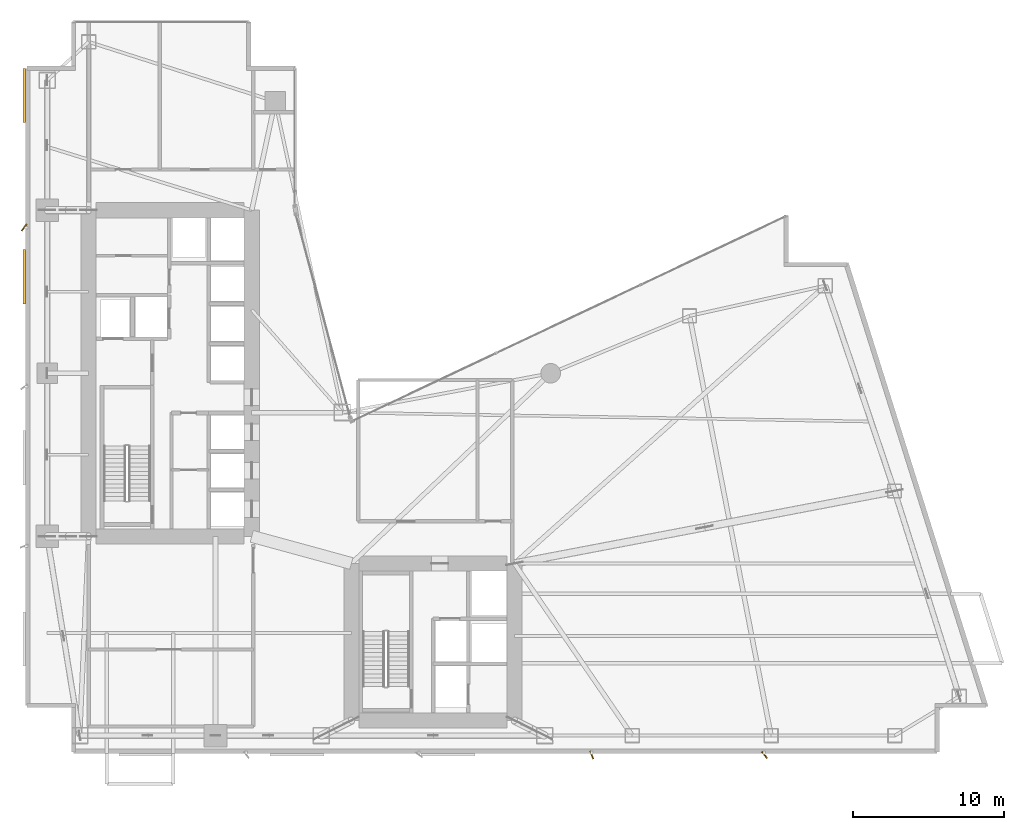
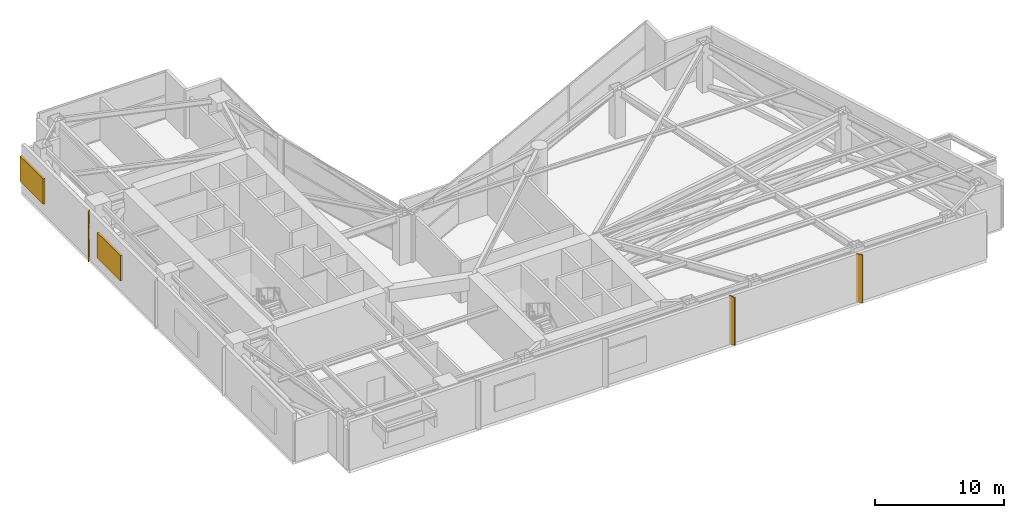
# One storey, part 18 of 18: 5 shading devices.
"""IFC4 building model written with IfcOpenShell, lengths in metres."""

from ifc_helpers import new_model, si_unit, direction, frame, origin, origin_2d, place, context, subcontext, project, spatial, rectangle, extrude, material, type_object, element, save


model = new_model("IFC4")

# Units and contexts
model_context = context("Model", 3, precision=1e-05, world=origin(), true_north=direction((0.0, 1.0)))
body_context = subcontext(model_context, "Body", "Model", "MODEL_VIEW")
ifc_project = project(units=[si_unit("LENGTHUNIT", "METRE"), si_unit("AREAUNIT", "SQUARE_METRE"), si_unit("VOLUMEUNIT", "CUBIC_METRE"), si_unit("PLANEANGLEUNIT", "RADIAN"), si_unit("MASSUNIT", "GRAM", prefix="KILO")], contexts=[model_context])

# Site, building, storey
site_placement = place(None, origin())
site = spatial("IfcSite", under=ifc_project, at=site_placement, CompositionType="ELEMENT")
building_placement = place(site_placement, origin())
building = spatial("IfcBuilding", under=site, at=building_placement, Name="Calvorn Quay Hotel", CompositionType="ELEMENT")
storey_placement = place(building_placement, frame((0.0, 0.0, 46.0)))
storey = spatial("IfcBuildingStorey", under=building, at=storey_placement, Name="L10", CompositionType="ELEMENT", Elevation=46.0)

# Shading devices
ifc_material_1 = material(Name="Champagne Bronze Anodised Aluminium 6063-T6", Category="aluminium")
shading_device_type_1 = type_object("IfcShadingDeviceType", Name="SHD-FIN-A1", PredefinedType="USERDEFINED", material=ifc_material_1)
shading_device_1_placement = place(storey_placement, frame((37.52001953125, 2.320068359375, 0.0), z_axis=(0.0, 0.0, 1.0), x_axis=(-0.374606593416, 0.927183854567, 0.0)))
element("IfcShadingDevice", 1, at=shading_device_1_placement, inside=storey, type_object=shading_device_type_1, Name="Diagonal Sun-Shading Fin L10-S03", ObjectType="FIN", PredefinedType="USERDEFINED", context=body_context, shape_type="SweptSolid", body=[
    extrude(rectangle(XDim=0.550048828125, YDim=0.080078125, at=origin_2d()), origin(), (0.0, 0.0, 1.0), 4.56005859375),
])
ifc_material_2 = material(Name="Champagne Bronze Anodised Aluminium 6063-T6", Category="aluminium")
shading_device_type_2 = type_object("IfcShadingDeviceType", Name="SHD-FIN-A2", PredefinedType="USERDEFINED", material=ifc_material_2)
shading_device_2_placement = place(storey_placement, frame((48.9599609375, 2.320068359375, 0.0), z_axis=(0.0, 0.0, 1.0), x_axis=(-0.615661475326, 0.788010753607, 0.0)))
element("IfcShadingDevice", 2, at=shading_device_2_placement, inside=storey, type_object=shading_device_type_2, Name="Diagonal Sun-Shading Fin L10-S04", ObjectType="FIN", PredefinedType="USERDEFINED", context=body_context, shape_type="SweptSolid", body=[
    extrude(rectangle(XDim=0.550048828125, YDim=0.080078125, at=origin_2d()), origin(), (0.0, 0.0, 1.0), 4.56005859375),
])
ifc_material_3 = material(Name="Champagne Bronze Anodised Aluminium 6063-T6", Category="aluminium")
shading_device_type_3 = type_object("IfcShadingDeviceType", Name="SHD-FIN-A3", PredefinedType="USERDEFINED", material=ifc_material_3)
shading_device_3_placement = place(storey_placement, frame((-0.080078125, 37.25, 0.0), z_axis=(0.0, 0.0, 1.0), x_axis=(0.587785252292, 0.809016994375, 0.0)))
element("IfcShadingDevice", 3, at=shading_device_3_placement, inside=storey, type_object=shading_device_type_3, Name="Diagonal Sun-Shading Fin L10-W03", ObjectType="FIN", PredefinedType="USERDEFINED", context=body_context, shape_type="SweptSolid", body=[
    extrude(rectangle(XDim=0.550048828125, YDim=0.080078125, at=origin_2d()), origin(), (0.0, 0.0, 1.0), 4.56005859375),
])
ifc_material_4 = material(Name="Anodised Aluminium 6063-T6", Category="aluminium")
shading_device_type_4 = type_object("IfcShadingDeviceType", Name="SHD-MECH-LOUVRE", PredefinedType="USERDEFINED", material=ifc_material_4)
for number, where, z_axis, x_axis, name in (
    (4, (-0.06005859375, 34.0, 1.080078125), (0.0, 0.0, 1.0), (1.0, 0.0, 0.0), "Refuge Stormproof Intake Louvre L10-W3"),
    (5, (-0.06005859375, 46.0, 1.080078125), (0.0, 0.0, 1.0), (1.0, 0.0, 0.0), "Refuge Stormproof Intake Louvre L10-W4"),
):
    element("IfcShadingDevice", number, at=place(storey_placement, frame(where, z_axis=z_axis, x_axis=x_axis)), inside=storey, type_object=shading_device_type_4, Name=name, ObjectType="LOUVRE", PredefinedType="USERDEFINED", context=body_context, shape_type="SweptSolid", body=[
        extrude(rectangle(XDim=0.179931640625, YDim=3.60009765625, at=origin_2d()), origin(), (0.0, 0.0, 1.0), 2.39990234375),
    ])

save(model, "model.ifc")
